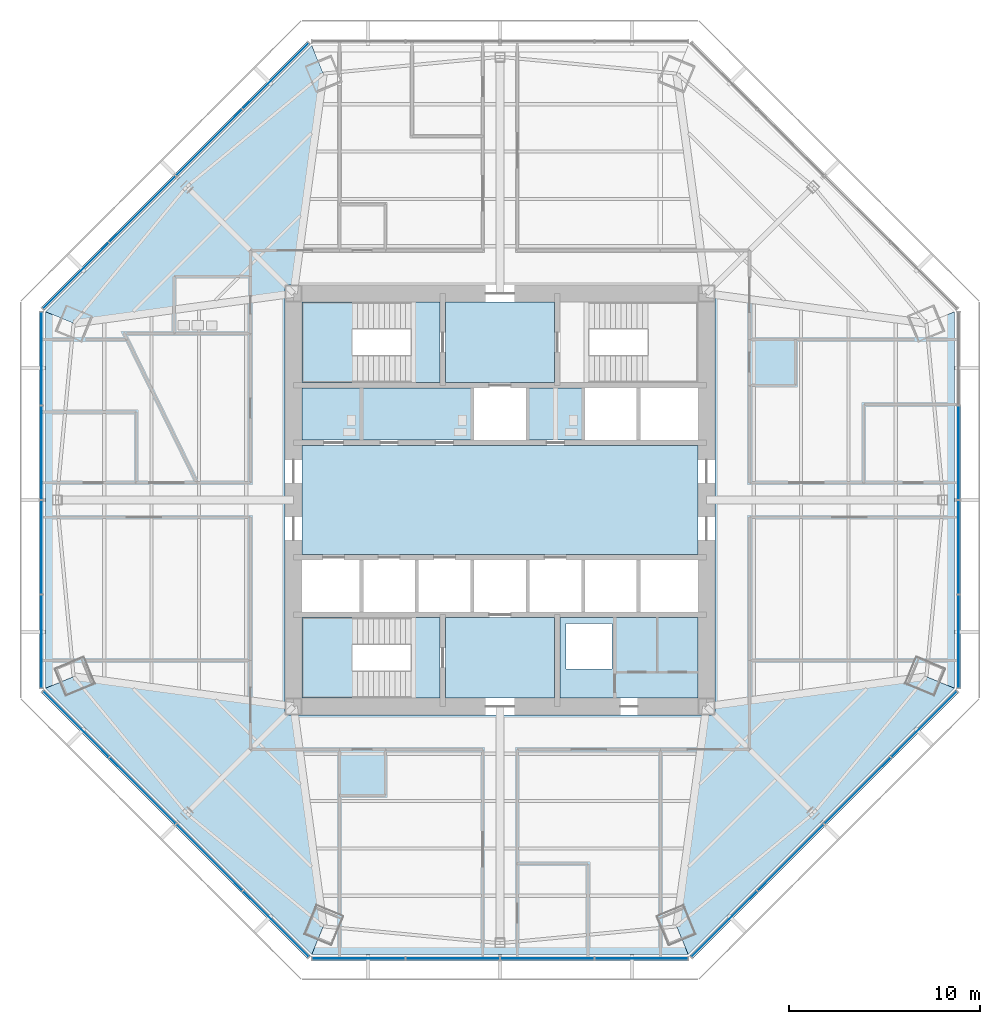
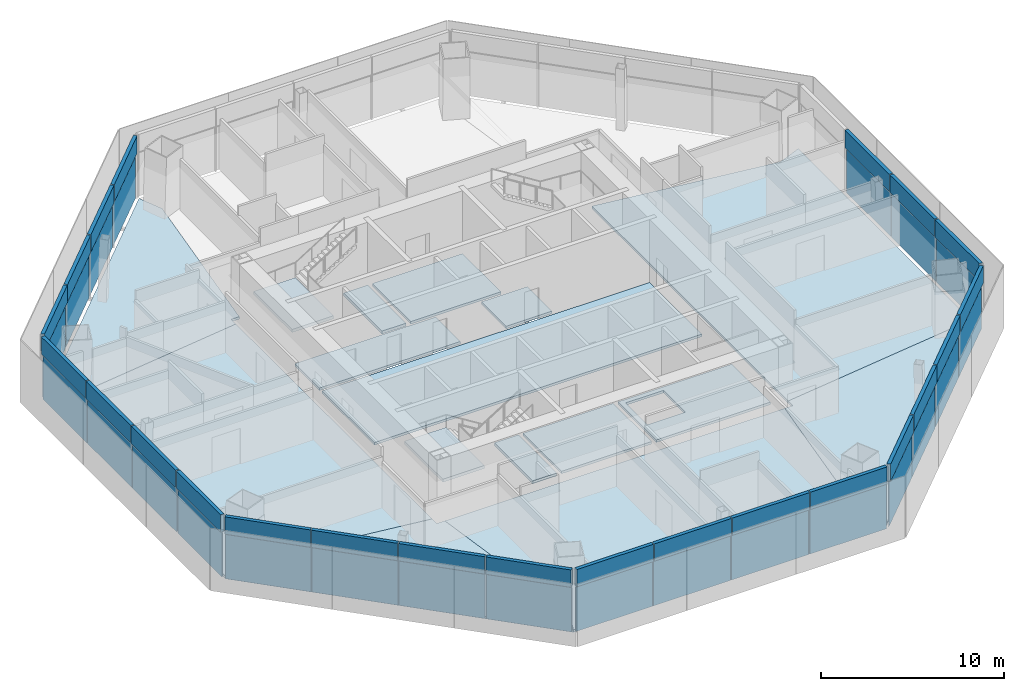
# One storey, part 7 of 14: 46 plates, 16 slabs, 8 elements without a shape of their own.
"""IFC4 building model written with IfcOpenShell, lengths in metres."""

from ifc_helpers import new_model, si_unit, direction, frame, origin, origin_2d, place, context, subcontext, project, spatial, polyline, rectangle, outline, extrude, source, transform, mapped, material, layer, layer_set, type_object, type_shapes, element, aggregate, save


model = new_model("IFC4")

# Units and contexts
model_context = context("Model", 3, precision=1e-05, world=origin(), true_north=direction((0.0, 1.0)))
body_context = subcontext(model_context, "Body", "Model", "MODEL_VIEW")
ifc_project = project(units=[si_unit("LENGTHUNIT", "METRE"), si_unit("AREAUNIT", "SQUARE_METRE"), si_unit("VOLUMEUNIT", "CUBIC_METRE"), si_unit("PLANEANGLEUNIT", "RADIAN"), si_unit("MASSUNIT", "GRAM", prefix="KILO")], contexts=[model_context])

# Site, building, storey
site_placement = place(None, origin())
site = spatial("IfcSite", under=ifc_project, at=site_placement, CompositionType="ELEMENT")
building_placement = place(site_placement, origin())
building = spatial("IfcBuilding", under=site, at=building_placement, Name="Mashrafa Tower", CompositionType="ELEMENT")
storey_placement = place(building_placement, frame((0.0, 0.0, 142.800048828125)))
storey = spatial("IfcBuildingStorey", under=building, at=storey_placement, Name="L32", CompositionType="ELEMENT", Elevation=142.800048828125)

# Slabs
ifc_material_1 = material(Name="Concrete C35/45", Category="concrete")
ifc_layer_1 = layer(ifc_material_1, 0.1650390625)
ifc_layer_set_1 = layer_set([ifc_layer_1], Name="Floor slab 165")
slab_type_1 = type_object("IfcSlabType", Name="Floor slab 165", PredefinedType="FLOOR", material=ifc_layer_set_1)
slab_1_placement = place(storey_placement, frame((0.0, 0.0, -0.1650390625)))
element("IfcSlab", 1, at=slab_1_placement, inside=storey, type_object=slab_type_1, Name="Floor slab L32 east bay", PredefinedType="FLOOR", context=body_context, shape_type="SweptSolid", body=[
    extrude(outline(polyline([(23.775146484375, -9.847900390625), (22.301513671875, -9.237548828125), (11.25, -10.73876953125), (11.25, 10.73876953125), (22.301513671875, 9.237548828125), (23.775146484375, 9.847900390625), (23.775146484375, -9.847900390625)])), origin(), (0.0, 0.0, 1.0), 0.1650390625),
])
slab_2_placement = place(storey_placement, frame((0.0, 0.0, -0.1650390625)))
element("IfcSlab", 2, at=slab_2_placement, inside=storey, type_object=slab_type_1, Name="Floor slab L32 north-west bay", PredefinedType="FLOOR", context=body_context, shape_type="SweptSolid", body=[
    extrude(outline(polyline([(-23.775146484375, 9.847900390625), (-9.847900390625, 23.775146484375), (-9.847900390625, 23.775146484375), (-9.237548828125, 22.301513671875), (-10.73876953125, 11.25), (-11.25, 11.25), (-11.25, 10.73876953125), (-22.301513671875, 9.237548828125), (-23.775146484375, 9.847900390625), (-23.775146484375, 9.847900390625)])), origin(), (0.0, 0.0, 1.0), 0.1650390625),
])
slab_3_placement = place(storey_placement, frame((0.0, 0.0, -0.1650390625)))
element("IfcSlab", 3, at=slab_3_placement, inside=storey, type_object=slab_type_1, Name="Floor slab L32 west bay", PredefinedType="FLOOR", context=body_context, shape_type="SweptSolid", body=[
    extrude(outline(polyline([(-23.775146484375, 9.847900390625), (-22.301513671875, 9.237548828125), (-11.25, 10.73876953125), (-11.25, -10.73876953125), (-22.301513671875, -9.237548828125), (-23.775146484375, -9.847900390625), (-23.775146484375, 9.847900390625)])), origin(), (0.0, 0.0, 1.0), 0.1650390625),
])
slab_4_placement = place(storey_placement, frame((0.0, 0.0, -0.1650390625)))
element("IfcSlab", 4, at=slab_4_placement, inside=storey, type_object=slab_type_1, Name="Floor slab L32 south-west bay", PredefinedType="FLOOR", context=body_context, shape_type="SweptSolid", body=[
    extrude(outline(polyline([(-9.847900390625, -23.775146484375), (-23.775146484375, -9.847900390625), (-23.775146484375, -9.847900390625), (-22.301513671875, -9.237548828125), (-11.25, -10.73876953125), (-11.25, -11.25), (-10.73876953125, -11.25), (-9.237548828125, -22.301513671875), (-9.847900390625, -23.775146484375), (-9.847900390625, -23.775146484375)])), origin(), (0.0, 0.0, 1.0), 0.1650390625),
])
slab_5_placement = place(storey_placement, frame((0.0, 0.0, -0.1650390625)))
element("IfcSlab", 5, at=slab_5_placement, inside=storey, type_object=slab_type_1, Name="Floor slab L32 south bay", PredefinedType="FLOOR", context=body_context, shape_type="SweptSolid", body=[
    extrude(outline(polyline([(-9.847900390625, -23.775146484375), (-9.237548828125, -22.301513671875), (-10.73876953125, -11.25), (10.73876953125, -11.25), (9.237548828125, -22.301513671875), (9.847900390625, -23.775146484375), (-9.847900390625, -23.775146484375)])), origin(), (0.0, 0.0, 1.0), 0.1650390625),
])
slab_6_placement = place(storey_placement, frame((0.0, 0.0, -0.1650390625)))
element("IfcSlab", 6, at=slab_6_placement, inside=storey, type_object=slab_type_1, Name="Floor slab L32 south-east bay", PredefinedType="FLOOR", context=body_context, shape_type="SweptSolid", body=[
    extrude(outline(polyline([(9.847900390625, -23.775146484375), (9.237548828125, -22.301513671875), (10.73876953125, -11.25), (11.25, -11.25), (11.25, -10.73876953125), (22.301513671875, -9.237548828125), (23.775146484375, -9.847900390625), (23.775146484375, -9.847900390625), (9.847900390625, -23.775146484375), (9.847900390625, -23.775146484375)])), origin(), (0.0, 0.0, 1.0), 0.1650390625),
])
slab_7_placement = place(storey_placement, frame((0.0, 0.0, -0.1650390625)))
element("IfcSlab", 7, at=slab_7_placement, inside=storey, type_object=slab_type_1, Name="Core floor lift hall L32", PredefinedType="FLOOR", context=body_context, shape_type="SweptSolid", body=[
    extrude(outline(polyline([(-10.35009765625, 2.85009765625), (10.35009765625, 2.85009765625), (10.35009765625, -2.85009765625), (-10.35009765625, -2.85009765625), (-10.35009765625, 2.85009765625)])), origin(), (0.0, 0.0, 1.0), 0.1650390625),
])
slab_8_placement = place(storey_placement, frame((0.0, 0.0, -0.1650390625)))
element("IfcSlab", 8, at=slab_8_placement, inside=storey, type_object=slab_type_1, Name="Core floor riser and electrical band L32", PredefinedType="FLOOR", context=body_context, shape_type="SweptSolid", body=[
    extrude(outline(polyline([(10.35009765625, -6.14990234375), (10.35009765625, -10.35009765625), (3.14990234375, -10.35009765625), (3.14990234375, -6.14990234375), (10.35009765625, -6.14990234375)]), holes=[polyline([(3.449951171875, -8.85009765625), (5.85009765625, -8.85009765625), (5.85009765625, -6.449951171875), (3.449951171875, -6.449951171875), (3.449951171875, -8.85009765625)])]), origin(), (0.0, 0.0, 1.0), 0.1650390625),
])
slab_9_placement = place(storey_placement, frame((0.0, 0.0, -0.1650390625)))
element("IfcSlab", 9, at=slab_9_placement, inside=storey, type_object=slab_type_1, Name="Core floor lift cell L32", PredefinedType="FLOOR", context=body_context, shape_type="SweptSolid", body=[
    extrude(outline(polyline([(-1.449951171875, 3.14990234375), (-10.35009765625, 3.14990234375), (-10.35009765625, 5.85009765625), (-1.449951171875, 5.85009765625), (-1.449951171875, 3.14990234375)])), origin(), (0.0, 0.0, 1.0), 0.1650390625),
])
slab_10_placement = place(storey_placement, frame((0.0, 0.0, -0.1650390625)))
element("IfcSlab", 10, at=slab_10_placement, inside=storey, type_object=slab_type_1, Name="Core floor fire-fighting lobby north L32", PredefinedType="FLOOR", context=body_context, shape_type="SweptSolid", body=[
    extrude(outline(polyline([(-2.85009765625, 10.35009765625), (2.85009765625, 10.35009765625), (2.85009765625, 6.14990234375), (-2.85009765625, 6.14990234375), (-2.85009765625, 10.35009765625)])), origin(), (0.0, 0.0, 1.0), 0.1650390625),
])
slab_11_placement = place(storey_placement, frame((0.0, 0.0, -0.1650390625)))
element("IfcSlab", 11, at=slab_11_placement, inside=storey, type_object=slab_type_1, Name="Core floor fire-fighting lobby south L32", PredefinedType="FLOOR", context=body_context, shape_type="SweptSolid", body=[
    extrude(outline(polyline([(2.85009765625, -6.14990234375), (2.85009765625, -10.35009765625), (-2.85009765625, -10.35009765625), (-2.85009765625, -6.14990234375), (2.85009765625, -6.14990234375)])), origin(), (0.0, 0.0, 1.0), 0.1650390625),
])
slab_12_placement = place(storey_placement, frame((0.0, 0.0, -0.1650390625)))
element("IfcSlab", 12, at=slab_12_placement, inside=storey, type_object=slab_type_1, Name="Core floor lift cell L32", PredefinedType="FLOOR", context=body_context, shape_type="SweptSolid", body=[
    extrude(outline(polyline([(4.35009765625, 5.85009765625), (4.35009765625, 3.14990234375), (1.449951171875, 3.14990234375), (1.449951171875, 5.85009765625), (4.35009765625, 5.85009765625)])), origin(), (0.0, 0.0, 1.0), 0.1650390625),
])

# Stair, slabs
ifc_material_2 = material(Name="Exit stair 1400")
stair_type = type_object("IfcStairType", Name="Exit stair 1400", PredefinedType="HALF_TURN_STAIR", material=ifc_material_2)
stair_1_placement = place(storey_placement, origin())
stair_1 = element("IfcStair", 13, at=stair_1_placement, inside=storey, type_object=stair_type, Name="Stair S1 L32", PredefinedType="HALF_TURN_STAIR")
ifc_material_3 = material(Name="Concrete C32/40", Category="concrete")
ifc_layer_2 = layer(ifc_material_3, 0.199951171875)
ifc_layer_set_2 = layer_set([ifc_layer_2], Name="Stair landing 200")
slab_type_2 = type_object("IfcSlabType", Name="Stair landing 200", PredefinedType="LANDING", material=ifc_layer_set_2)
slab_13_placement = place(storey_placement, frame((0.0, 0.0, -0.199951171875)))
slab_13 = element("IfcSlab", 14, at=slab_13_placement, type_object=slab_type_2, Name="S1 landing 1", PredefinedType="LANDING", context=body_context, shape_type="SweptSolid", body=[
    extrude(outline(polyline([(-4.659912109375, 6.14990234375), (-3.14990234375, 6.14990234375), (-3.14990234375, 10.35009765625), (-4.659912109375, 10.35009765625), (-4.659912109375, 6.14990234375)])), origin(), (0.0, 0.0, 1.0), 0.199951171875),
])
slab_14_placement = place(storey_placement, frame((0.0, 0.0, 1.89990234375)))
slab_14 = element("IfcSlab", 15, at=slab_14_placement, type_object=slab_type_2, Name="S1 landing 2", PredefinedType="LANDING", context=body_context, shape_type="SweptSolid", body=[
    extrude(outline(polyline([(-10.35009765625, 6.14990234375), (-7.719970703125, 6.14990234375), (-7.719970703125, 10.35009765625), (-10.35009765625, 10.35009765625), (-10.35009765625, 6.14990234375)])), origin(), (0.0, 0.0, 1.0), 0.199951171875),
])
aggregate(stair_1, [slab_13, slab_14])

stair_2_placement = place(storey_placement, origin())
stair_2 = element("IfcStair", 16, at=stair_2_placement, inside=storey, type_object=stair_type, Name="Stair S3 L32", PredefinedType="HALF_TURN_STAIR")
slab_15_placement = place(storey_placement, frame((0.0, 0.0, -0.199951171875)))
slab_15 = element("IfcSlab", 17, at=slab_15_placement, type_object=slab_type_2, Name="S3 landing 1", PredefinedType="LANDING", context=body_context, shape_type="SweptSolid", body=[
    extrude(outline(polyline([(-4.659912109375, -10.35009765625), (-3.14990234375, -10.35009765625), (-3.14990234375, -6.14990234375), (-4.659912109375, -6.14990234375), (-4.659912109375, -10.35009765625)])), origin(), (0.0, 0.0, 1.0), 0.199951171875),
])
slab_16_placement = place(storey_placement, frame((0.0, 0.0, 1.89990234375)))
slab_16 = element("IfcSlab", 18, at=slab_16_placement, type_object=slab_type_2, Name="S3 landing 2", PredefinedType="LANDING", context=body_context, shape_type="SweptSolid", body=[
    extrude(outline(polyline([(-10.35009765625, -10.35009765625), (-7.719970703125, -10.35009765625), (-7.719970703125, -6.14990234375), (-10.35009765625, -6.14990234375), (-10.35009765625, -10.35009765625)])), origin(), (0.0, 0.0, 1.0), 0.199951171875),
])
aggregate(stair_2, [slab_15, slab_16])

# Curtain wall, plate
ifc_material_4 = material(Name="Unitised aluminium curtain wall", Category="aluminium")
curtain_wall_type = type_object("IfcCurtainWallType", Name="Office curtain wall, zone 2 CW-B 225 deep", PredefinedType="NOTDEFINED", material=ifc_material_4)
curtain_wall_1_placement = place(storey_placement, origin())
curtain_wall_1 = element("IfcCurtainWall", 19, at=curtain_wall_1_placement, inside=storey, type_object=curtain_wall_type, Name="Office curtain wall, zone 2 L32 east", PredefinedType="NOTDEFINED")
ifc_material_5 = material(Name="Insulated double glazing, low-e, neutral", Category="glass")
ifc_layer_3 = layer(ifc_material_5, 0.028076171875)
ifc_layer_set_3 = layer_set([ifc_layer_3], Name="Vision panel CW-B 28")
plate_type_1 = type_object("IfcPlateType", Name="Vision panel CW-B 28", PredefinedType="CURTAIN_PANEL", material=ifc_layer_set_3)
shared_shape_1 = source(origin(), body_context, "Body", "SweptSolid", [
    extrude(rectangle(XDim=4.839599609375, YDim=0.028076171875, at=origin_2d()), origin(), (0.0, 0.0, 1.0), 2.9599609375),
])
plate_1_placement = place(storey_placement, frame((23.97509765625, -7.389404296875, 0.0), z_axis=(0.0, 0.0, 1.0), x_axis=(0.0, 1.0, 0.0)))
plate_1 = element("IfcPlate", 20, at=plate_1_placement, type_object=plate_type_1, Name="CW-B vision panel 1", PredefinedType="CURTAIN_PANEL", context=body_context, shape_type="MappedRepresentation", body=[
    mapped(shared_shape_1, transform((0.0, 0.0, 0.0))),
])

# Curtain wall, plates
curtain_wall_2_placement = place(storey_placement, origin())
curtain_wall_2 = element("IfcCurtainWall", 21, at=curtain_wall_2_placement, inside=storey, type_object=curtain_wall_type, Name="Office curtain wall, zone 2 L32 north-west", PredefinedType="NOTDEFINED")
plate_2_placement = place(storey_placement, frame((-11.727783203125, 22.177978515625, 0.0), z_axis=(0.0, 0.0, 1.0), x_axis=(-0.707106781187, -0.707106781187, 0.0)))
plate_2 = element("IfcPlate", 22, at=plate_2_placement, type_object=plate_type_1, Name="CW-B vision panel 1", PredefinedType="CURTAIN_PANEL", context=body_context, shape_type="MappedRepresentation", body=[
    mapped(shared_shape_1, transform((0.0, 0.0, 0.0))),
])
plate_3_placement = place(storey_placement, frame((-22.177978515625, 11.727783203125, 0.0), z_axis=(0.0, 0.0, 1.0), x_axis=(-0.707106781187, -0.707106781187, 0.0)))
plate_3 = element("IfcPlate", 23, at=plate_3_placement, type_object=plate_type_1, Name="CW-B vision panel 4", PredefinedType="CURTAIN_PANEL", context=body_context, shape_type="MappedRepresentation", body=[
    mapped(shared_shape_1, transform((0.0, 0.0, 0.0))),
])

curtain_wall_3_placement = place(storey_placement, origin())
curtain_wall_3 = element("IfcCurtainWall", 24, at=curtain_wall_3_placement, inside=storey, type_object=curtain_wall_type, Name="Office curtain wall, zone 2 L32 west", PredefinedType="NOTDEFINED")
plate_4_placement = place(storey_placement, frame((-23.97509765625, 7.389404296875, 0.0), z_axis=(0.0, 0.0, 1.0), x_axis=(0.0, -1.0, 0.0)))
plate_4 = element("IfcPlate", 25, at=plate_4_placement, type_object=plate_type_1, Name="CW-B vision panel 1", PredefinedType="CURTAIN_PANEL", context=body_context, shape_type="MappedRepresentation", body=[
    mapped(shared_shape_1, transform((0.0, 0.0, 0.0))),
])
plate_5_placement = place(storey_placement, frame((-23.97509765625, -7.389404296875, 0.0), z_axis=(0.0, 0.0, 1.0), x_axis=(0.0, -1.0, 0.0)))
plate_5 = element("IfcPlate", 26, at=plate_5_placement, type_object=plate_type_1, Name="CW-B vision panel 4", PredefinedType="CURTAIN_PANEL", context=body_context, shape_type="MappedRepresentation", body=[
    mapped(shared_shape_1, transform((0.0, 0.0, 0.0))),
])

curtain_wall_4_placement = place(storey_placement, origin())
curtain_wall_4 = element("IfcCurtainWall", 27, at=curtain_wall_4_placement, inside=storey, type_object=curtain_wall_type, Name="Office curtain wall, zone 2 L32 south-west", PredefinedType="NOTDEFINED")
plate_6_placement = place(storey_placement, frame((-22.177978515625, -11.727783203125, 0.0), z_axis=(0.0, 0.0, 1.0), x_axis=(0.707106781187, -0.707106781187, 0.0)))
plate_6 = element("IfcPlate", 28, at=plate_6_placement, type_object=plate_type_1, Name="CW-B vision panel 1", PredefinedType="CURTAIN_PANEL", context=body_context, shape_type="MappedRepresentation", body=[
    mapped(shared_shape_1, transform((0.0, 0.0, 0.0))),
])
plate_7_placement = place(storey_placement, frame((-11.727783203125, -22.177978515625, 0.0), z_axis=(0.0, 0.0, 1.0), x_axis=(0.707106781187, -0.707106781187, 0.0)))
plate_7 = element("IfcPlate", 29, at=plate_7_placement, type_object=plate_type_1, Name="CW-B vision panel 4", PredefinedType="CURTAIN_PANEL", context=body_context, shape_type="MappedRepresentation", body=[
    mapped(shared_shape_1, transform((0.0, 0.0, 0.0))),
])

curtain_wall_5_placement = place(storey_placement, origin())
curtain_wall_5 = element("IfcCurtainWall", 30, at=curtain_wall_5_placement, inside=storey, type_object=curtain_wall_type, Name="Office curtain wall, zone 2 L32 south", PredefinedType="NOTDEFINED")
plate_8_placement = place(storey_placement, frame((-7.389404296875, -23.97509765625, 0.0), z_axis=(0.0, 0.0, 1.0), x_axis=(1.0, 0.0, 0.0)))
plate_8 = element("IfcPlate", 31, at=plate_8_placement, type_object=plate_type_1, Name="CW-B vision panel 1", PredefinedType="CURTAIN_PANEL", context=body_context, shape_type="MappedRepresentation", body=[
    mapped(shared_shape_1, transform((0.0, 0.0, 0.0))),
])
plate_9_placement = place(storey_placement, frame((7.389404296875, -23.97509765625, 0.0), z_axis=(0.0, 0.0, 1.0), x_axis=(1.0, 0.0, 0.0)))
plate_9 = element("IfcPlate", 32, at=plate_9_placement, type_object=plate_type_1, Name="CW-B vision panel 4", PredefinedType="CURTAIN_PANEL", context=body_context, shape_type="MappedRepresentation", body=[
    mapped(shared_shape_1, transform((0.0, 0.0, 0.0))),
])

curtain_wall_6_placement = place(storey_placement, origin())
curtain_wall_6 = element("IfcCurtainWall", 33, at=curtain_wall_6_placement, inside=storey, type_object=curtain_wall_type, Name="Office curtain wall, zone 2 L32 south-east", PredefinedType="NOTDEFINED")
plate_10_placement = place(storey_placement, frame((11.727783203125, -22.177978515625, 0.0), z_axis=(0.0, 0.0, 1.0), x_axis=(0.707106781187, 0.707106781187, 0.0)))
plate_10 = element("IfcPlate", 34, at=plate_10_placement, type_object=plate_type_1, Name="CW-B vision panel 1", PredefinedType="CURTAIN_PANEL", context=body_context, shape_type="MappedRepresentation", body=[
    mapped(shared_shape_1, transform((0.0, 0.0, 0.0))),
])
plate_11_placement = place(storey_placement, frame((22.177978515625, -11.727783203125, 0.0), z_axis=(0.0, 0.0, 1.0), x_axis=(0.707106781187, 0.707106781187, 0.0)))
plate_11 = element("IfcPlate", 35, at=plate_11_placement, type_object=plate_type_1, Name="CW-B vision panel 4", PredefinedType="CURTAIN_PANEL", context=body_context, shape_type="MappedRepresentation", body=[
    mapped(shared_shape_1, transform((0.0, 0.0, 0.0))),
])

# Plate
ifc_material_6 = material(Name="Insulated aluminium spandrel panel", Category="aluminium")
ifc_layer_4 = layer(ifc_material_6, 0.219970703125)
ifc_layer_set_4 = layer_set([ifc_layer_4], Name="Spandrel panel CW-B 220")
plate_type_2 = type_object("IfcPlateType", Name="Spandrel panel CW-B 220", PredefinedType="CURTAIN_PANEL", material=ifc_layer_set_4)
shared_shape_2 = source(origin(), body_context, "Body", "SweptSolid", [
    extrude(rectangle(XDim=4.839599609375, YDim=0.219970703125, at=origin_2d()), origin(), (0.0, 0.0, 1.0), 1.159912109375),
])
plate_12_placement = place(storey_placement, frame((23.97509765625, -7.389404296875, 3.0400390625), z_axis=(0.0, 0.0, 1.0), x_axis=(0.0, 1.0, 0.0)))
plate_12 = element("IfcPlate", 36, at=plate_12_placement, type_object=plate_type_2, Name="CW-B spandrel panel 1", PredefinedType="CURTAIN_PANEL", context=body_context, shape_type="MappedRepresentation", body=[
    mapped(shared_shape_2, transform((0.0, 0.0, 0.0))),
])

plate_13_placement = place(storey_placement, frame((-11.727783203125, 22.177978515625, 3.0400390625), z_axis=(0.0, 0.0, 1.0), x_axis=(-0.707106781187, -0.707106781187, 0.0)))
plate_13 = element("IfcPlate", 37, at=plate_13_placement, type_object=plate_type_2, Name="CW-B spandrel panel 1", PredefinedType="CURTAIN_PANEL", context=body_context, shape_type="MappedRepresentation", body=[
    mapped(shared_shape_2, transform((0.0, 0.0, 0.0))),
])

plate_14_placement = place(storey_placement, frame((-22.177978515625, 11.727783203125, 3.0400390625), z_axis=(0.0, 0.0, 1.0), x_axis=(-0.707106781187, -0.707106781187, 0.0)))
plate_14 = element("IfcPlate", 38, at=plate_14_placement, type_object=plate_type_2, Name="CW-B spandrel panel 4", PredefinedType="CURTAIN_PANEL", context=body_context, shape_type="MappedRepresentation", body=[
    mapped(shared_shape_2, transform((0.0, 0.0, 0.0))),
])

plate_15_placement = place(storey_placement, frame((-23.97509765625, 7.389404296875, 3.0400390625), z_axis=(0.0, 0.0, 1.0), x_axis=(0.0, -1.0, 0.0)))
plate_15 = element("IfcPlate", 39, at=plate_15_placement, type_object=plate_type_2, Name="CW-B spandrel panel 1", PredefinedType="CURTAIN_PANEL", context=body_context, shape_type="MappedRepresentation", body=[
    mapped(shared_shape_2, transform((0.0, 0.0, 0.0))),
])

plate_16_placement = place(storey_placement, frame((-23.97509765625, -7.389404296875, 3.0400390625), z_axis=(0.0, 0.0, 1.0), x_axis=(0.0, -1.0, 0.0)))
plate_16 = element("IfcPlate", 40, at=plate_16_placement, type_object=plate_type_2, Name="CW-B spandrel panel 4", PredefinedType="CURTAIN_PANEL", context=body_context, shape_type="MappedRepresentation", body=[
    mapped(shared_shape_2, transform((0.0, 0.0, 0.0))),
])

plate_17_placement = place(storey_placement, frame((-22.177978515625, -11.727783203125, 3.0400390625), z_axis=(0.0, 0.0, 1.0), x_axis=(0.707106781187, -0.707106781187, 0.0)))
plate_17 = element("IfcPlate", 41, at=plate_17_placement, type_object=plate_type_2, Name="CW-B spandrel panel 1", PredefinedType="CURTAIN_PANEL", context=body_context, shape_type="MappedRepresentation", body=[
    mapped(shared_shape_2, transform((0.0, 0.0, 0.0))),
])

plate_18_placement = place(storey_placement, frame((-11.727783203125, -22.177978515625, 3.0400390625), z_axis=(0.0, 0.0, 1.0), x_axis=(0.707106781187, -0.707106781187, 0.0)))
plate_18 = element("IfcPlate", 42, at=plate_18_placement, type_object=plate_type_2, Name="CW-B spandrel panel 4", PredefinedType="CURTAIN_PANEL", context=body_context, shape_type="MappedRepresentation", body=[
    mapped(shared_shape_2, transform((0.0, 0.0, 0.0))),
])

plate_19_placement = place(storey_placement, frame((-7.389404296875, -23.97509765625, 3.0400390625), z_axis=(0.0, 0.0, 1.0), x_axis=(1.0, 0.0, 0.0)))
plate_19 = element("IfcPlate", 43, at=plate_19_placement, type_object=plate_type_2, Name="CW-B spandrel panel 1", PredefinedType="CURTAIN_PANEL", context=body_context, shape_type="MappedRepresentation", body=[
    mapped(shared_shape_2, transform((0.0, 0.0, 0.0))),
])

plate_20_placement = place(storey_placement, frame((7.389404296875, -23.97509765625, 3.0400390625), z_axis=(0.0, 0.0, 1.0), x_axis=(1.0, 0.0, 0.0)))
plate_20 = element("IfcPlate", 44, at=plate_20_placement, type_object=plate_type_2, Name="CW-B spandrel panel 4", PredefinedType="CURTAIN_PANEL", context=body_context, shape_type="MappedRepresentation", body=[
    mapped(shared_shape_2, transform((0.0, 0.0, 0.0))),
])

plate_21_placement = place(storey_placement, frame((11.727783203125, -22.177978515625, 3.0400390625), z_axis=(0.0, 0.0, 1.0), x_axis=(0.707106781187, 0.707106781187, 0.0)))
plate_21 = element("IfcPlate", 45, at=plate_21_placement, type_object=plate_type_2, Name="CW-B spandrel panel 1", PredefinedType="CURTAIN_PANEL", context=body_context, shape_type="MappedRepresentation", body=[
    mapped(shared_shape_2, transform((0.0, 0.0, 0.0))),
])

plate_22_placement = place(storey_placement, frame((22.177978515625, -11.727783203125, 3.0400390625), z_axis=(0.0, 0.0, 1.0), x_axis=(0.707106781187, 0.707106781187, 0.0)))
plate_22 = element("IfcPlate", 46, at=plate_22_placement, type_object=plate_type_2, Name="CW-B spandrel panel 4", PredefinedType="CURTAIN_PANEL", context=body_context, shape_type="MappedRepresentation", body=[
    mapped(shared_shape_2, transform((0.0, 0.0, 0.0))),
])

shared_shape_3 = source(origin(), body_context, "Body", "SweptSolid", [
    extrude(rectangle(XDim=4.8720703125, YDim=0.028076171875, at=origin_2d()), origin(), (0.0, 0.0, 1.0), 2.9599609375),
])
type_shapes(plate_type_1, [shared_shape_1, shared_shape_3])
plate_23_placement = place(storey_placement, frame((23.97509765625, -2.468505859375, 0.0), z_axis=(0.0, 0.0, 1.0), x_axis=(0.0, 1.0, 0.0)))
plate_23 = element("IfcPlate", 47, at=plate_23_placement, type_object=plate_type_1, Name="CW-B vision panel 2", PredefinedType="CURTAIN_PANEL", context=body_context, shape_type="MappedRepresentation", body=[
    mapped(shared_shape_3, transform((0.0, 0.0, 0.0))),
])

plate_24_placement = place(storey_placement, frame((23.97509765625, 2.468505859375, 0.0), z_axis=(0.0, 0.0, 1.0), x_axis=(0.0, 1.0, 0.0)))
plate_24 = element("IfcPlate", 48, at=plate_24_placement, type_object=plate_type_1, Name="CW-B vision panel 3", PredefinedType="CURTAIN_PANEL", context=body_context, shape_type="MappedRepresentation", body=[
    mapped(shared_shape_3, transform((0.0, 0.0, 0.0))),
])

plate_25_placement = place(storey_placement, frame((-15.20751953125, 18.698486328125, 0.0), z_axis=(0.0, 0.0, 1.0), x_axis=(-0.707106781187, -0.707106781187, 0.0)))
plate_25 = element("IfcPlate", 49, at=plate_25_placement, type_object=plate_type_1, Name="CW-B vision panel 2", PredefinedType="CURTAIN_PANEL", context=body_context, shape_type="MappedRepresentation", body=[
    mapped(shared_shape_3, transform((0.0, 0.0, 0.0))),
])

plate_26_placement = place(storey_placement, frame((-18.698486328125, 15.20751953125, 0.0), z_axis=(0.0, 0.0, 1.0), x_axis=(-0.707106781187, -0.707106781187, 0.0)))
plate_26 = element("IfcPlate", 50, at=plate_26_placement, type_object=plate_type_1, Name="CW-B vision panel 3", PredefinedType="CURTAIN_PANEL", context=body_context, shape_type="MappedRepresentation", body=[
    mapped(shared_shape_3, transform((0.0, 0.0, 0.0))),
])

plate_27_placement = place(storey_placement, frame((-23.97509765625, 2.468505859375, 0.0), z_axis=(0.0, 0.0, 1.0), x_axis=(0.0, -1.0, 0.0)))
plate_27 = element("IfcPlate", 51, at=plate_27_placement, type_object=plate_type_1, Name="CW-B vision panel 2", PredefinedType="CURTAIN_PANEL", context=body_context, shape_type="MappedRepresentation", body=[
    mapped(shared_shape_3, transform((0.0, 0.0, 0.0))),
])

plate_28_placement = place(storey_placement, frame((-23.97509765625, -2.468505859375, 0.0), z_axis=(0.0, 0.0, 1.0), x_axis=(0.0, -1.0, 0.0)))
plate_28 = element("IfcPlate", 52, at=plate_28_placement, type_object=plate_type_1, Name="CW-B vision panel 3", PredefinedType="CURTAIN_PANEL", context=body_context, shape_type="MappedRepresentation", body=[
    mapped(shared_shape_3, transform((0.0, 0.0, 0.0))),
])

plate_29_placement = place(storey_placement, frame((-18.698486328125, -15.20751953125, 0.0), z_axis=(0.0, 0.0, 1.0), x_axis=(0.707106781187, -0.707106781187, 0.0)))
plate_29 = element("IfcPlate", 53, at=plate_29_placement, type_object=plate_type_1, Name="CW-B vision panel 2", PredefinedType="CURTAIN_PANEL", context=body_context, shape_type="MappedRepresentation", body=[
    mapped(shared_shape_3, transform((0.0, 0.0, 0.0))),
])

plate_30_placement = place(storey_placement, frame((-15.20751953125, -18.698486328125, 0.0), z_axis=(0.0, 0.0, 1.0), x_axis=(0.707106781187, -0.707106781187, 0.0)))
plate_30 = element("IfcPlate", 54, at=plate_30_placement, type_object=plate_type_1, Name="CW-B vision panel 3", PredefinedType="CURTAIN_PANEL", context=body_context, shape_type="MappedRepresentation", body=[
    mapped(shared_shape_3, transform((0.0, 0.0, 0.0))),
])

plate_31_placement = place(storey_placement, frame((-2.468505859375, -23.97509765625, 0.0), z_axis=(0.0, 0.0, 1.0), x_axis=(1.0, 0.0, 0.0)))
plate_31 = element("IfcPlate", 55, at=plate_31_placement, type_object=plate_type_1, Name="CW-B vision panel 2", PredefinedType="CURTAIN_PANEL", context=body_context, shape_type="MappedRepresentation", body=[
    mapped(shared_shape_3, transform((0.0, 0.0, 0.0))),
])

plate_32_placement = place(storey_placement, frame((2.468505859375, -23.97509765625, 0.0), z_axis=(0.0, 0.0, 1.0), x_axis=(1.0, 0.0, 0.0)))
plate_32 = element("IfcPlate", 56, at=plate_32_placement, type_object=plate_type_1, Name="CW-B vision panel 3", PredefinedType="CURTAIN_PANEL", context=body_context, shape_type="MappedRepresentation", body=[
    mapped(shared_shape_3, transform((0.0, 0.0, 0.0))),
])

plate_33_placement = place(storey_placement, frame((15.20751953125, -18.698486328125, 0.0), z_axis=(0.0, 0.0, 1.0), x_axis=(0.707106781187, 0.707106781187, 0.0)))
plate_33 = element("IfcPlate", 57, at=plate_33_placement, type_object=plate_type_1, Name="CW-B vision panel 2", PredefinedType="CURTAIN_PANEL", context=body_context, shape_type="MappedRepresentation", body=[
    mapped(shared_shape_3, transform((0.0, 0.0, 0.0))),
])

plate_34_placement = place(storey_placement, frame((18.698486328125, -15.20751953125, 0.0), z_axis=(0.0, 0.0, 1.0), x_axis=(0.707106781187, 0.707106781187, 0.0)))
plate_34 = element("IfcPlate", 58, at=plate_34_placement, type_object=plate_type_1, Name="CW-B vision panel 3", PredefinedType="CURTAIN_PANEL", context=body_context, shape_type="MappedRepresentation", body=[
    mapped(shared_shape_3, transform((0.0, 0.0, 0.0))),
])

shared_shape_4 = source(origin(), body_context, "Body", "SweptSolid", [
    extrude(rectangle(XDim=4.8720703125, YDim=0.219970703125, at=origin_2d()), origin(), (0.0, 0.0, 1.0), 1.159912109375),
])
type_shapes(plate_type_2, [shared_shape_2, shared_shape_4])
plate_35_placement = place(storey_placement, frame((23.97509765625, -2.468505859375, 3.0400390625), z_axis=(0.0, 0.0, 1.0), x_axis=(0.0, 1.0, 0.0)))
plate_35 = element("IfcPlate", 59, at=plate_35_placement, type_object=plate_type_2, Name="CW-B spandrel panel 2", PredefinedType="CURTAIN_PANEL", context=body_context, shape_type="MappedRepresentation", body=[
    mapped(shared_shape_4, transform((0.0, 0.0, 0.0))),
])

plate_36_placement = place(storey_placement, frame((23.97509765625, 2.468505859375, 3.0400390625), z_axis=(0.0, 0.0, 1.0), x_axis=(0.0, 1.0, 0.0)))
plate_36 = element("IfcPlate", 60, at=plate_36_placement, type_object=plate_type_2, Name="CW-B spandrel panel 3", PredefinedType="CURTAIN_PANEL", context=body_context, shape_type="MappedRepresentation", body=[
    mapped(shared_shape_4, transform((0.0, 0.0, 0.0))),
])

aggregate(curtain_wall_1, [plate_1, plate_12, plate_23, plate_35, plate_24, plate_36])

plate_37_placement = place(storey_placement, frame((-15.20751953125, 18.698486328125, 3.0400390625), z_axis=(0.0, 0.0, 1.0), x_axis=(-0.707106781187, -0.707106781187, 0.0)))
plate_37 = element("IfcPlate", 61, at=plate_37_placement, type_object=plate_type_2, Name="CW-B spandrel panel 2", PredefinedType="CURTAIN_PANEL", context=body_context, shape_type="MappedRepresentation", body=[
    mapped(shared_shape_4, transform((0.0, 0.0, 0.0))),
])

plate_38_placement = place(storey_placement, frame((-18.698486328125, 15.20751953125, 3.0400390625), z_axis=(0.0, 0.0, 1.0), x_axis=(-0.707106781187, -0.707106781187, 0.0)))
plate_38 = element("IfcPlate", 62, at=plate_38_placement, type_object=plate_type_2, Name="CW-B spandrel panel 3", PredefinedType="CURTAIN_PANEL", context=body_context, shape_type="MappedRepresentation", body=[
    mapped(shared_shape_4, transform((0.0, 0.0, 0.0))),
])

aggregate(curtain_wall_2, [plate_2, plate_13, plate_25, plate_37, plate_26, plate_38, plate_3, plate_14])

plate_39_placement = place(storey_placement, frame((-23.97509765625, 2.468505859375, 3.0400390625), z_axis=(0.0, 0.0, 1.0), x_axis=(0.0, -1.0, 0.0)))
plate_39 = element("IfcPlate", 63, at=plate_39_placement, type_object=plate_type_2, Name="CW-B spandrel panel 2", PredefinedType="CURTAIN_PANEL", context=body_context, shape_type="MappedRepresentation", body=[
    mapped(shared_shape_4, transform((0.0, 0.0, 0.0))),
])

plate_40_placement = place(storey_placement, frame((-23.97509765625, -2.468505859375, 3.0400390625), z_axis=(0.0, 0.0, 1.0), x_axis=(0.0, -1.0, 0.0)))
plate_40 = element("IfcPlate", 64, at=plate_40_placement, type_object=plate_type_2, Name="CW-B spandrel panel 3", PredefinedType="CURTAIN_PANEL", context=body_context, shape_type="MappedRepresentation", body=[
    mapped(shared_shape_4, transform((0.0, 0.0, 0.0))),
])

aggregate(curtain_wall_3, [plate_4, plate_15, plate_27, plate_39, plate_28, plate_40, plate_5, plate_16])

plate_41_placement = place(storey_placement, frame((-18.698486328125, -15.20751953125, 3.0400390625), z_axis=(0.0, 0.0, 1.0), x_axis=(0.707106781187, -0.707106781187, 0.0)))
plate_41 = element("IfcPlate", 65, at=plate_41_placement, type_object=plate_type_2, Name="CW-B spandrel panel 2", PredefinedType="CURTAIN_PANEL", context=body_context, shape_type="MappedRepresentation", body=[
    mapped(shared_shape_4, transform((0.0, 0.0, 0.0))),
])

plate_42_placement = place(storey_placement, frame((-15.20751953125, -18.698486328125, 3.0400390625), z_axis=(0.0, 0.0, 1.0), x_axis=(0.707106781187, -0.707106781187, 0.0)))
plate_42 = element("IfcPlate", 66, at=plate_42_placement, type_object=plate_type_2, Name="CW-B spandrel panel 3", PredefinedType="CURTAIN_PANEL", context=body_context, shape_type="MappedRepresentation", body=[
    mapped(shared_shape_4, transform((0.0, 0.0, 0.0))),
])

aggregate(curtain_wall_4, [plate_6, plate_17, plate_29, plate_41, plate_30, plate_42, plate_7, plate_18])

plate_43_placement = place(storey_placement, frame((-2.468505859375, -23.97509765625, 3.0400390625), z_axis=(0.0, 0.0, 1.0), x_axis=(1.0, 0.0, 0.0)))
plate_43 = element("IfcPlate", 67, at=plate_43_placement, type_object=plate_type_2, Name="CW-B spandrel panel 2", PredefinedType="CURTAIN_PANEL", context=body_context, shape_type="MappedRepresentation", body=[
    mapped(shared_shape_4, transform((0.0, 0.0, 0.0))),
])

plate_44_placement = place(storey_placement, frame((2.468505859375, -23.97509765625, 3.0400390625), z_axis=(0.0, 0.0, 1.0), x_axis=(1.0, 0.0, 0.0)))
plate_44 = element("IfcPlate", 68, at=plate_44_placement, type_object=plate_type_2, Name="CW-B spandrel panel 3", PredefinedType="CURTAIN_PANEL", context=body_context, shape_type="MappedRepresentation", body=[
    mapped(shared_shape_4, transform((0.0, 0.0, 0.0))),
])

aggregate(curtain_wall_5, [plate_8, plate_19, plate_31, plate_43, plate_32, plate_44, plate_9, plate_20])

plate_45_placement = place(storey_placement, frame((15.20751953125, -18.698486328125, 3.0400390625), z_axis=(0.0, 0.0, 1.0), x_axis=(0.707106781187, 0.707106781187, 0.0)))
plate_45 = element("IfcPlate", 69, at=plate_45_placement, type_object=plate_type_2, Name="CW-B spandrel panel 2", PredefinedType="CURTAIN_PANEL", context=body_context, shape_type="MappedRepresentation", body=[
    mapped(shared_shape_4, transform((0.0, 0.0, 0.0))),
])

plate_46_placement = place(storey_placement, frame((18.698486328125, -15.20751953125, 3.0400390625), z_axis=(0.0, 0.0, 1.0), x_axis=(0.707106781187, 0.707106781187, 0.0)))
plate_46 = element("IfcPlate", 70, at=plate_46_placement, type_object=plate_type_2, Name="CW-B spandrel panel 3", PredefinedType="CURTAIN_PANEL", context=body_context, shape_type="MappedRepresentation", body=[
    mapped(shared_shape_4, transform((0.0, 0.0, 0.0))),
])

aggregate(curtain_wall_6, [plate_10, plate_21, plate_33, plate_45, plate_34, plate_46, plate_11, plate_22])

save(model, "model.ifc")
